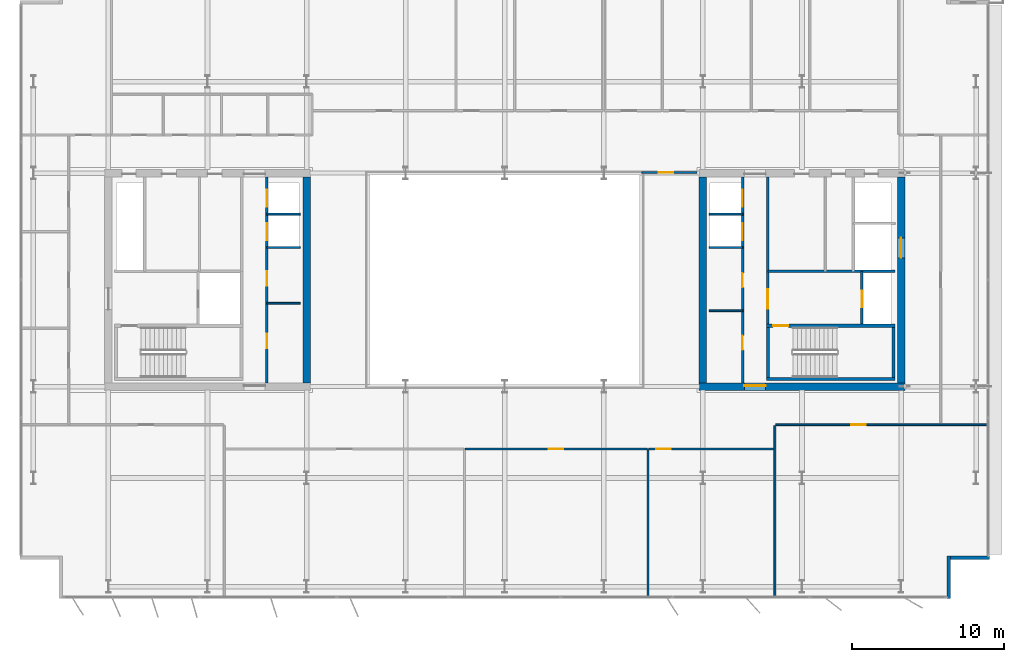
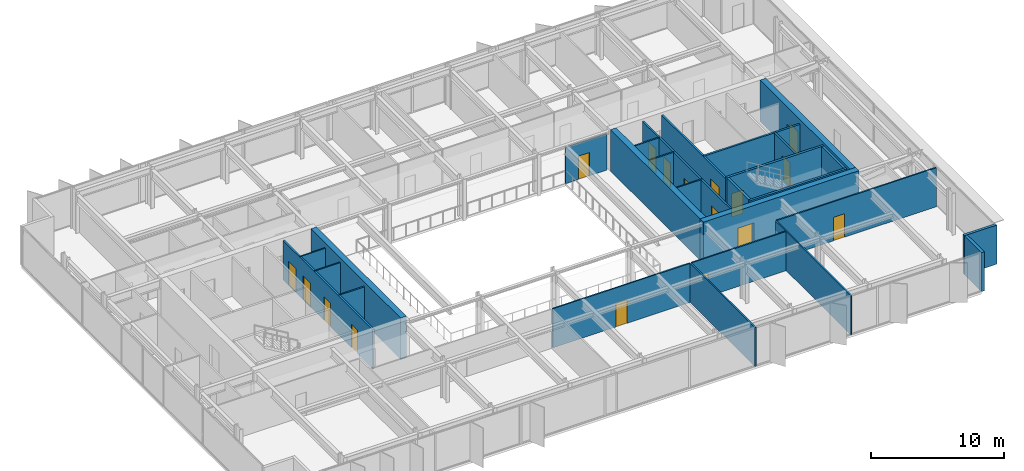
# One storey, part 12 of 19: 27 walls, 17 doors, 17 openings.
"""IFC4 building model written with IfcOpenShell, lengths in metres."""

from ifc_helpers import new_model, si_unit, direction, frame, frame_2d, origin, place, context, subcontext, project, spatial, rectangle, extrude, material, layer, layer_set, type_object, element, fill, save


model = new_model("IFC4")

# Units and contexts
model_context = context("Model", 3, precision=1e-05, world=origin(), true_north=direction((0.0, 1.0)))
body_context = subcontext(model_context, "Body", "Model", "MODEL_VIEW")
ifc_project = project(units=[si_unit("LENGTHUNIT", "METRE"), si_unit("AREAUNIT", "SQUARE_METRE"), si_unit("VOLUMEUNIT", "CUBIC_METRE"), si_unit("PLANEANGLEUNIT", "RADIAN"), si_unit("MASSUNIT", "GRAM", prefix="KILO")], contexts=[model_context])

# Site, building, storey
site_placement = place(None, origin())
site = spatial("IfcSite", under=ifc_project, at=site_placement, CompositionType="ELEMENT")
building_placement = place(site_placement, origin())
building = spatial("IfcBuilding", under=site, at=building_placement, Name="Putna Gate Headquarters", CompositionType="ELEMENT")
storey_placement = place(building_placement, frame((0.0, 0.0, 255.60009765625)))
storey = spatial("IfcBuildingStorey", under=building, at=storey_placement, Name="L64", CompositionType="ELEMENT", Elevation=255.60009765625)

# Wall
ifc_material_1 = material(Name="Concrete C50/60", Category="concrete")
ifc_layer_1 = layer(ifc_material_1, 0.5)
ifc_layer_set_1 = layer_set([ifc_layer_1], Name="Concrete C50/60")
wall_type_1 = type_object("IfcWallType", Name="WALL-CORE-500", PredefinedType="SHEAR", material=ifc_layer_set_1)
wall_1_placement = place(storey_placement, frame((26.0, 19.25, 0.0), z_axis=(0.0, 0.0, 1.0), x_axis=(0.0, 1.0, 0.0)))
element("IfcWall", 1, at=wall_1_placement, inside=storey, type_object=wall_type_1, Name="L64 WC Split Core Shear Wall E", PredefinedType="SHEAR", context=body_context, shape_type="SweptSolid", body=[
    extrude(rectangle(XDim=13.5, YDim=0.5, at=frame_2d((6.75, 0.0))), origin(), (0.0, 0.0, 1.0), 3.7998046875),
])

# Wall, opening, door
wall_2_placement = place(storey_placement, frame((51.75, 19.0, 0.0), z_axis=(0.0, 0.0, 1.0), x_axis=(1.0, 0.0, 0.0)))
wall_2 = element("IfcWall", 2, at=wall_2_placement, inside=storey, type_object=wall_type_1, Name="L64 EC Split Core Shear Wall S", PredefinedType="SHEAR", context=body_context, shape_type="SweptSolid", body=[
    extrude(rectangle(XDim=13.5, YDim=0.5, at=frame_2d((6.75, 0.0))), origin(), (0.0, 0.0, 1.0), 3.7998046875),
])
opening_1_placement = place(wall_2_placement, frame((2.969970703125, 0.0, 0.0)))
opening_1 = element("IfcOpeningElement", 3, at=opening_1_placement, cuts=wall_2, Name="Opening FDD-140", PredefinedType="OPENING", context=body_context, shape_type="SweptSolid", body=[
    extrude(rectangle(XDim=1.39990234375, YDim=2.199951171875, at=frame_2d((0.699951171875, 1.10009765625))), frame((0.0, 0.260009765625, 0.0), z_axis=(0.0, -1.0, 0.0), x_axis=(1.0, 0.0, 0.0)), (0.0, 0.0, 1.0), 0.52001953125),
])
ifc_material_2 = material(Name="Double steel fire door", Category="steel")
door_type_1 = type_object("IfcDoorType", Name="DOOR-FIRE-DBL-1400", OperationType="DOUBLE_DOOR_SINGLE_SWING", PredefinedType="DOOR", material=ifc_material_2)
door_1_placement = place(opening_1_placement, origin())
door_1 = element("IfcDoor", 4, at=door_1_placement, inside=storey, type_object=door_type_1, Name="L64 East Lift Lobby South Door", OperationType="DOUBLE_DOOR_SINGLE_SWING", OverallHeight=2.199951171875, OverallWidth=1.39990234375, PredefinedType="DOOR", context=body_context, shape_type="SweptSolid", body=[
    extrude(rectangle(XDim=1.39990234375, YDim=2.199951171875, at=frame_2d((0.699951171875, 1.10009765625))), frame((0.0, 0.0751953125, 0.0), z_axis=(0.0, -1.0, 0.0), x_axis=(1.0, 0.0, 0.0)), (0.0, 0.0, 1.0), 0.050048828125),
])
fill(opening_1, door_1)

# Wall
wall_3_placement = place(storey_placement, frame((52.0, 19.25, 0.0), z_axis=(0.0, 0.0, 1.0), x_axis=(0.0, 1.0, 0.0)))
element("IfcWall", 5, at=wall_3_placement, inside=storey, type_object=wall_type_1, Name="L64 EC Split Core Shear Wall W", PredefinedType="SHEAR", context=body_context, shape_type="SweptSolid", body=[
    extrude(rectangle(XDim=13.5, YDim=0.5, at=frame_2d((6.75, 0.0))), origin(), (0.0, 0.0, 1.0), 3.7998046875),
])

# Wall, opening, door
wall_4_placement = place(storey_placement, frame((65.0, 19.25, 0.0), z_axis=(0.0, 0.0, 1.0), x_axis=(0.0, 1.0, 0.0)))
wall_4 = element("IfcWall", 6, at=wall_4_placement, inside=storey, type_object=wall_type_1, Name="L64 EC Split Core Shear Wall E", PredefinedType="SHEAR", context=body_context, shape_type="SweptSolid", body=[
    extrude(rectangle(XDim=13.5, YDim=0.5, at=frame_2d((6.75, 0.0))), origin(), (0.0, 0.0, 1.0), 3.7998046875),
])
opening_2_placement = place(wall_4_placement, frame((8.199951171875, 0.0, 0.0)))
opening_2 = element("IfcOpeningElement", 7, at=opening_2_placement, cuts=wall_4, Name="Opening LD-2", PredefinedType="OPENING", context=body_context, shape_type="SweptSolid", body=[
    extrude(rectangle(XDim=1.300048828125, YDim=2.199951171875, at=frame_2d((0.64990234375, 1.10009765625))), frame((0.0, 0.260009765625, 0.0), z_axis=(0.0, -1.0, 0.0), x_axis=(1.0, 0.0, 0.0)), (0.0, 0.0, 1.0), 0.52001953125),
])
ifc_material_3 = material(Name="Heavy-duty goods lift sliding landing door")
door_type_2 = type_object("IfcDoorType", Name="DOOR-LIFT-1300", OperationType="DOUBLE_DOOR_SLIDING", PredefinedType="DOOR", material=ifc_material_3)
door_2_placement = place(opening_2_placement, origin())
door_2 = element("IfcDoor", 8, at=door_2_placement, inside=storey, type_object=door_type_2, Name="L64 Goods Lift Landing Door LD-15", OperationType="DOUBLE_DOOR_SLIDING", OverallHeight=2.199951171875, OverallWidth=1.300048828125, PredefinedType="DOOR", context=body_context, shape_type="SweptSolid", body=[
    extrude(rectangle(XDim=1.300048828125, YDim=2.199951171875, at=frame_2d((0.64990234375, 1.10009765625))), frame((0.0, 0.02490234375, 0.0), z_axis=(0.0, -1.0, 0.0), x_axis=(1.0, 0.0, 0.0)), (0.0, 0.0, 1.0), 0.050048828125),
])
fill(opening_2, door_2)

# Walls
ifc_material_4 = material(Name="Precast concrete C40/50", Category="concrete")
ifc_layer_2 = layer(ifc_material_4, 0.239990234375)
ifc_layer_set_2 = layer_set([ifc_layer_2], Name="Precast concrete C40/50")
wall_type_2 = type_object("IfcWallType", Name="WALL-EXT-TERR-240", PredefinedType="STANDARD", material=ifc_layer_set_2)
wall_5_placement = place(storey_placement, frame((68.1201171875, 7.89990234375, 0.0), z_axis=(0.0, 0.0, 1.0), x_axis=(0.0, -1.0, 0.0)))
element("IfcWall", 9, at=wall_5_placement, inside=storey, type_object=wall_type_2, Name="L64 Corner Notch Return Wall SE-V", PredefinedType="STANDARD", context=body_context, shape_type="SweptSolid", body=[
    extrude(rectangle(XDim=2.7998046875, YDim=0.239990234375, at=frame_2d((1.39990234375, 0.0))), origin(), (0.0, 0.0, 1.0), 3.587890625),
])
wall_6_placement = place(storey_placement, frame((70.800048828125, 7.780029296875, 0.0), z_axis=(0.0, 0.0, 1.0), x_axis=(-1.0, 0.0, 0.0)))
element("IfcWall", 10, at=wall_6_placement, inside=storey, type_object=wall_type_2, Name="L64 Corner Notch Return Wall SE-H", PredefinedType="STANDARD", context=body_context, shape_type="SweptSolid", body=[
    extrude(rectangle(XDim=2.800048828125, YDim=0.239990234375, at=frame_2d((1.39990234375, 0.0))), origin(), (0.0, 0.0, 1.0), 3.587890625),
])

# Wall, opening, door
ifc_material_5 = material(Name="Acoustic gypsum board on metal stud")
ifc_layer_3 = layer(ifc_material_5, 0.1201171875)
ifc_layer_set_3 = layer_set([ifc_layer_3], Name="Acoustic gypsum board on metal stud")
wall_type_3 = type_object("IfcWallType", Name="WALL-PART-120", PredefinedType="PARTITIONING", material=ifc_layer_set_3)
wall_7_placement = place(storey_placement, frame((48.0, 33.0400390625, 0.0), z_axis=(0.0, 0.0, 1.0), x_axis=(1.0, 0.0, 0.0)))
wall_7 = element("IfcWall", 11, at=wall_7_placement, inside=storey, type_object=wall_type_3, Name="L64 Interior Wall PART-L64-ATR-E-N", PredefinedType="PARTITIONING", context=body_context, shape_type="SweptSolid", body=[
    extrude(rectangle(XDim=3.60009765625, YDim=0.1201171875, at=frame_2d((1.800048828125, 0.0))), origin(), (0.0, 0.0, 1.0), 3.327880859375),
])
opening_3_placement = place(wall_7_placement, frame((1.10009765625, 0.0, 0.0)))
opening_3 = element("IfcOpeningElement", 12, at=opening_3_placement, cuts=wall_7, Name="Opening ID-95", PredefinedType="OPENING", context=body_context, shape_type="SweptSolid", body=[
    extrude(rectangle(XDim=0.949951171875, YDim=2.14990234375, at=frame_2d((0.47509765625, 1.074951171875))), frame((0.0, 0.070068359375, 0.0), z_axis=(0.0, -1.0, 0.0), x_axis=(1.0, 0.0, 0.0)), (0.0, 0.0, 1.0), 0.14013671875),
])
ifc_material_6 = material(Name="Veneered acoustic timber door", Category="wood")
door_type_3 = type_object("IfcDoorType", Name="DOOR-OFF-950", OperationType="NOTDEFINED", PredefinedType="DOOR", material=ifc_material_6)
door_3_placement = place(opening_3_placement, origin())
door_3 = element("IfcDoor", 13, at=door_3_placement, inside=storey, type_object=door_type_3, Name="L64 East Sky Atrium Lounge Door", OperationType="SINGLE_SWING_LEFT", OverallHeight=2.14990234375, OverallWidth=0.949951171875, PredefinedType="DOOR", context=body_context, shape_type="SweptSolid", body=[
    extrude(rectangle(XDim=0.949951171875, YDim=2.14990234375, at=frame_2d((0.47509765625, 1.074951171875))), frame((0.0, 0.02490234375, 0.0), z_axis=(0.0, -1.0, 0.0), x_axis=(1.0, 0.0, 0.0)), (0.0, 0.0, 1.0), 0.050048828125),
])
fill(opening_3, door_3)

# Walls
wall_8_placement = place(storey_placement, frame((48.3974609375, 5.1201171875, 0.0), z_axis=(0.0, 0.0, 1.0), x_axis=(0.0, 1.0, 0.0)))
element("IfcWall", 14, at=wall_8_placement, inside=storey, type_object=wall_type_3, Name="L64 Interior Wall PART-L64-SB-DIV-03", PredefinedType="PARTITIONING", context=body_context, shape_type="SweptSolid", body=[
    extrude(rectangle(XDim=9.719970703125, YDim=0.1201171875, at=frame_2d((4.85986328125, 0.0))), origin(), (0.0, 0.0, 1.0), 3.587890625),
])
wall_9_placement = place(storey_placement, frame((56.7197265625, 5.1201171875, 0.0), z_axis=(0.0, 0.0, 1.0), x_axis=(0.0, 1.0, 0.0)))
element("IfcWall", 15, at=wall_9_placement, inside=storey, type_object=wall_type_3, Name="L64 Interior Wall PART-L64-SB-DIV-04", PredefinedType="PARTITIONING", context=body_context, shape_type="SweptSolid", body=[
    extrude(rectangle(XDim=11.31982421875, YDim=0.1201171875, at=frame_2d((5.659912109375, 0.0))), origin(), (0.0, 0.0, 1.0), 3.587890625),
])
ifc_material_7 = material(Name="Fire-rated shaftwall gypsum board on metal stud")
ifc_layer_4 = layer(ifc_material_7, 0.1201171875)
ifc_layer_set_4 = layer_set([ifc_layer_4], Name="Fire-rated shaftwall gypsum board on metal stud")
wall_type_4 = type_object("IfcWallType", Name="WALL-PART-120-EI120", PredefinedType="PARTITIONING", material=ifc_layer_set_4)
for number, where, z_axis, x_axis, name in (
    (16, (23.39990234375, 30.31005859375, 0.0), (0.0, 0.0, 1.0), (1.0, 0.0, 0.0), "L64 Interior Wall CWINT-L64-WC-LF09-DIV"),
    (17, (52.39990234375, 30.31005859375, 0.0), (0.0, 0.0, 1.0), (1.0, 0.0, 0.0), "L64 Interior Wall CWINT-L64-EC-LF11-DIV"),
):
    element("IfcWall", number, at=place(storey_placement, frame(where, z_axis=z_axis, x_axis=x_axis)), inside=storey, type_object=wall_type_4, Name=name, PredefinedType="PARTITIONING", context=body_context, shape_type="SweptSolid", body=[
        extrude(rectangle(XDim=2.2001953125, YDim=0.1201171875, at=frame_2d((1.10009765625, 0.0))), origin(), (0.0, 0.0, 1.0), 3.587890625),
    ])
ifc_material_8 = material(Name="Fire-rated gypsum board on metal stud")
ifc_layer_5 = layer(ifc_material_8, 0.1201171875)
ifc_layer_set_5 = layer_set([ifc_layer_5], Name="Fire-rated gypsum board on metal stud")
wall_type_5 = type_object("IfcWallType", Name="WALL-PART-120-RATED", PredefinedType="PARTITIONING", material=ifc_layer_set_5)
for number, where, z_axis, x_axis, name in (
    (18, (23.39990234375, 24.469970703125, 0.0), (0.0, 0.0, 1.0), (1.0, 0.0, 0.0), "L64 Interior Wall CWINT-L64-WC-REUSE-DIV"),
    (19, (23.39990234375, 28.1201171875, 0.0), (0.0, 0.0, 1.0), (1.0, 0.0, 0.0), "L64 Interior Wall CWINT-L64-WC-LF06-DIV"),
    (20, (52.39990234375, 23.969970703125, 0.0), (0.0, 0.0, 1.0), (1.0, 0.0, 0.0), "L64 Interior Wall CWINT-L64-EC-REUSE-DIV"),
    (21, (52.39990234375, 28.1201171875, 0.0), (0.0, 0.0, 1.0), (1.0, 0.0, 0.0), "L64 Interior Wall CWINT-L64-EC-LF08-DIV"),
):
    element("IfcWall", number, at=place(storey_placement, frame(where, z_axis=z_axis, x_axis=x_axis)), inside=storey, type_object=wall_type_5, Name=name, PredefinedType="PARTITIONING", context=body_context, shape_type="SweptSolid", body=[
        extrude(rectangle(XDim=2.2001953125, YDim=0.1201171875, at=frame_2d((1.10009765625, 0.0))), origin(), (0.0, 0.0, 1.0), 3.587890625),
    ])

# Wall, opening, door
wall_10_placement = place(storey_placement, frame((36.41650390625, 14.89990234375, 0.0), z_axis=(0.0, 0.0, 1.0), x_axis=(1.0, 0.0, 0.0)))
wall_10 = element("IfcWall", 22, at=wall_10_placement, inside=storey, type_object=wall_type_5, Name="L64 Interior Wall PART-L64-SB-CW-03", PredefinedType="PARTITIONING", context=body_context, shape_type="SweptSolid", body=[
    extrude(rectangle(XDim=11.9208984375, YDim=0.1201171875, at=frame_2d((5.96044921875, 0.0))), origin(), (0.0, 0.0, 1.0), 3.587890625),
])
opening_4_placement = place(wall_10_placement, frame((5.4853515625, 0.0, 0.0)))
opening_4 = element("IfcOpeningElement", 23, at=opening_4_placement, cuts=wall_10, Name="Opening FD-95", PredefinedType="OPENING", context=body_context, shape_type="SweptSolid", body=[
    extrude(rectangle(XDim=0.949951171875, YDim=2.14990234375, at=frame_2d((0.47509765625, 1.074951171875))), frame((0.0, 0.070068359375, 0.0), z_axis=(0.0, -1.0, 0.0), x_axis=(1.0, 0.0, 0.0)), (0.0, 0.0, 1.0), 0.14013671875),
])
ifc_material_9 = material(Name="Acoustic timber fire door", Category="wood")
door_type_4 = type_object("IfcDoorType", Name="DOOR-FIRE-950", OperationType="NOTDEFINED", PredefinedType="DOOR", material=ifc_material_9)
door_4_placement = place(opening_4_placement, origin())
door_4 = element("IfcDoor", 24, at=door_4_placement, inside=storey, type_object=door_type_4, Name="L64 Conference Meeting Room 1 Door", OperationType="SINGLE_SWING_LEFT", OverallHeight=2.14990234375, OverallWidth=0.949951171875, PredefinedType="DOOR", context=body_context, shape_type="SweptSolid", body=[
    extrude(rectangle(XDim=0.949951171875, YDim=2.14990234375, at=frame_2d((0.47509765625, 1.074951171875))), frame((0.0, 0.02490234375, 0.0), z_axis=(0.0, -1.0, 0.0), x_axis=(1.0, 0.0, 0.0)), (0.0, 0.0, 1.0), 0.050048828125),
])
fill(opening_4, door_4)

wall_11_placement = place(storey_placement, frame((48.45751953125, 14.89990234375, 0.0), z_axis=(0.0, 0.0, 1.0), x_axis=(1.0, 0.0, 0.0)))
wall_11 = element("IfcWall", 25, at=wall_11_placement, inside=storey, type_object=wall_type_5, Name="L64 Interior Wall PART-L64-SB-CW-04", PredefinedType="PARTITIONING", context=body_context, shape_type="SweptSolid", body=[
    extrude(rectangle(XDim=8.202392578125, YDim=0.1201171875, at=frame_2d((4.10107421875, 0.0))), origin(), (0.0, 0.0, 1.0), 3.587890625),
])
opening_5_placement = place(wall_11_placement, frame((0.47998046875, 0.0, 0.0)))
opening_5 = element("IfcOpeningElement", 26, at=opening_5_placement, cuts=wall_11, Name="Opening FD-95", PredefinedType="OPENING", context=body_context, shape_type="SweptSolid", body=[
    extrude(rectangle(XDim=0.949951171875, YDim=2.14990234375, at=frame_2d((0.47509765625, 1.074951171875))), frame((0.0, 0.070068359375, 0.0), z_axis=(0.0, -1.0, 0.0), x_axis=(1.0, 0.0, 0.0)), (0.0, 0.0, 1.0), 0.14013671875),
])
door_5_placement = place(opening_5_placement, origin())
door_5 = element("IfcDoor", 27, at=door_5_placement, inside=storey, type_object=door_type_4, Name="L64 Conference Meeting Room 2 Door", OperationType="SINGLE_SWING_RIGHT", OverallHeight=2.14990234375, OverallWidth=0.949951171875, PredefinedType="DOOR", context=body_context, shape_type="SweptSolid", body=[
    extrude(rectangle(XDim=0.949951171875, YDim=2.14990234375, at=frame_2d((0.47509765625, 1.074951171875))), frame((0.0, 0.02490234375, 0.0), z_axis=(0.0, -1.0, 0.0), x_axis=(1.0, 0.0, 0.0)), (0.0, 0.0, 1.0), 0.050048828125),
])
fill(opening_5, door_5)

wall_12_placement = place(storey_placement, frame((56.77978515625, 16.5, 0.0), z_axis=(0.0, 0.0, 1.0), x_axis=(1.0, 0.0, 0.0)))
wall_12 = element("IfcWall", 28, at=wall_12_placement, inside=storey, type_object=wall_type_5, Name="L64 Interior Wall PART-L64-SB-CW-05", PredefinedType="PARTITIONING", context=body_context, shape_type="SweptSolid", body=[
    extrude(rectangle(XDim=13.84033203125, YDim=0.1201171875, at=frame_2d((6.920166015625, 0.0))), origin(), (0.0, 0.0, 1.0), 3.587890625),
])
opening_6_placement = place(wall_12_placement, frame((4.93505859375, 0.0, 0.0)))
opening_6 = element("IfcOpeningElement", 29, at=opening_6_placement, cuts=wall_12, Name="Opening FD-95", PredefinedType="OPENING", context=body_context, shape_type="SweptSolid", body=[
    extrude(rectangle(XDim=0.949951171875, YDim=2.14990234375, at=frame_2d((0.47509765625, 1.074951171875))), frame((0.0, 0.070068359375, 0.0), z_axis=(0.0, -1.0, 0.0), x_axis=(1.0, 0.0, 0.0)), (0.0, 0.0, 1.0), 0.14013671875),
])
door_6_placement = place(opening_6_placement, origin())
door_6 = element("IfcDoor", 30, at=door_6_placement, inside=storey, type_object=door_type_4, Name="L64 Quiet Wellness Focus Studio 1 Door", OperationType="SINGLE_SWING_LEFT", OverallHeight=2.14990234375, OverallWidth=0.949951171875, PredefinedType="DOOR", context=body_context, shape_type="SweptSolid", body=[
    extrude(rectangle(XDim=0.949951171875, YDim=2.14990234375, at=frame_2d((0.47509765625, 1.074951171875))), frame((0.0, 0.02490234375, 0.0), z_axis=(0.0, -1.0, 0.0), x_axis=(1.0, 0.0, 0.0)), (0.0, 0.0, 1.0), 0.050048828125),
])
fill(opening_6, door_6)

# Wall, openings, doors
ifc_material_10 = material(Name="Concrete C40/50", Category="concrete")
ifc_layer_6 = layer(ifc_material_10, 0.159912109375)
ifc_layer_set_6 = layer_set([ifc_layer_6], Name="Concrete C40/50")
wall_type_6 = type_object("IfcWallType", Name="WALL-SHAFT-160", PredefinedType="STANDARD", material=ifc_layer_set_6)
wall_13_placement = place(storey_placement, frame((23.39990234375, 19.25, 0.0), z_axis=(0.0, 0.0, 1.0), x_axis=(0.0, 1.0, 0.0)))
wall_13 = element("IfcWall", 31, at=wall_13_placement, inside=storey, type_object=wall_type_6, Name="L64 Interior Wall CWINT-L64-WC-PL-WALL", PredefinedType="STANDARD", context=body_context, shape_type="SweptSolid", body=[
    extrude(rectangle(XDim=13.5, YDim=0.159912109375, at=frame_2d((6.75, 0.0))), origin(), (0.0, 0.0, 1.0), 3.587890625),
])
opening_7_placement = place(wall_13_placement, frame((2.25, 0.0, 0.0)))
opening_7 = element("IfcOpeningElement", 32, at=opening_7_placement, cuts=wall_13, Name="Opening IDS-95", PredefinedType="OPENING", context=body_context, shape_type="SweptSolid", body=[
    extrude(rectangle(XDim=0.949951171875, YDim=2.14990234375, at=frame_2d((0.47509765625, 1.074951171875))), frame((0.0, 0.08984375, 0.0), z_axis=(0.0, -1.0, 0.0), x_axis=(1.0, 0.0, 0.0)), (0.0, 0.0, 1.0), 0.179931640625),
])
opening_8_placement = place(wall_13_placement, frame((6.35009765625, 0.0, 0.0)))
opening_8 = element("IfcOpeningElement", 33, at=opening_8_placement, cuts=wall_13, Name="Opening IDS-95", PredefinedType="OPENING", context=body_context, shape_type="SweptSolid", body=[
    extrude(rectangle(XDim=0.949951171875, YDim=2.14990234375, at=frame_2d((0.47509765625, 1.074951171875))), frame((0.0, 0.08984375, 0.0), z_axis=(0.0, -1.0, 0.0), x_axis=(1.0, 0.0, 0.0)), (0.0, 0.0, 1.0), 0.179931640625),
])
opening_9_placement = place(wall_13_placement, frame((9.35009765625, 0.0, 0.0)))
opening_9 = element("IfcOpeningElement", 34, at=opening_9_placement, cuts=wall_13, Name="Opening LD-1", PredefinedType="OPENING", context=body_context, shape_type="SweptSolid", body=[
    extrude(rectangle(XDim=1.10009765625, YDim=2.199951171875, at=frame_2d((0.550048828125, 1.10009765625))), frame((0.0, 0.08984375, 0.0), z_axis=(0.0, -1.0, 0.0), x_axis=(1.0, 0.0, 0.0)), (0.0, 0.0, 1.0), 0.179931640625),
])
opening_10_placement = place(wall_13_placement, frame((11.550048828125, 0.0, 0.0)))
opening_10 = element("IfcOpeningElement", 35, at=opening_10_placement, cuts=wall_13, Name="Opening LD-1", PredefinedType="OPENING", context=body_context, shape_type="SweptSolid", body=[
    extrude(rectangle(XDim=1.10009765625, YDim=2.199951171875, at=frame_2d((0.550048828125, 1.10009765625))), frame((0.0, 0.08984375, 0.0), z_axis=(0.0, -1.0, 0.0), x_axis=(1.0, 0.0, 0.0)), (0.0, 0.0, 1.0), 0.179931640625),
])
ifc_material_11 = material(Name="Fire-rated service timber door", Category="wood")
door_type_5 = type_object("IfcDoorType", Name="DOOR-INT-950", OperationType="NOTDEFINED", PredefinedType="DOOR", material=ifc_material_11)
door_7_placement = place(opening_7_placement, origin())
door_7 = element("IfcDoor", 36, at=door_7_placement, inside=storey, type_object=door_type_5, Name="L64 Tenant IT Hub Door", OperationType="SINGLE_SWING_LEFT", OverallHeight=2.14990234375, OverallWidth=0.949951171875, PredefinedType="DOOR", context=body_context, shape_type="SweptSolid", body=[
    extrude(rectangle(XDim=0.949951171875, YDim=2.14990234375, at=frame_2d((0.47509765625, 1.074951171875))), frame((0.0, 0.02490234375, 0.0), z_axis=(0.0, -1.0, 0.0), x_axis=(1.0, 0.0, 0.0)), (0.0, 0.0, 1.0), 0.050048828125),
])
fill(opening_7, door_7)
door_8_placement = place(opening_8_placement, origin())
door_8 = element("IfcDoor", 37, at=door_8_placement, inside=storey, type_object=door_type_5, Name="L64 Records Vault Door", OperationType="SINGLE_SWING_RIGHT", OverallHeight=2.14990234375, OverallWidth=0.949951171875, PredefinedType="DOOR", context=body_context, shape_type="SweptSolid", body=[
    extrude(rectangle(XDim=0.949951171875, YDim=2.14990234375, at=frame_2d((0.47509765625, 1.074951171875))), frame((0.0, 0.02490234375, 0.0), z_axis=(0.0, -1.0, 0.0), x_axis=(1.0, 0.0, 0.0)), (0.0, 0.0, 1.0), 0.050048828125),
])
fill(opening_8, door_8)
ifc_material_12 = material(Name="Brushed bronze stainless lift landing door")
door_type_6 = type_object("IfcDoorType", Name="DOOR-LIFT-1100", OperationType="DOUBLE_DOOR_SLIDING", PredefinedType="DOOR", material=ifc_material_12)
door_9_placement = place(opening_9_placement, origin())
door_9 = element("IfcDoor", 38, at=door_9_placement, inside=storey, type_object=door_type_6, Name="L64 Lift Landing Door LD-09", OperationType="DOUBLE_DOOR_SLIDING", OverallHeight=2.199951171875, OverallWidth=1.10009765625, PredefinedType="DOOR", context=body_context, shape_type="SweptSolid", body=[
    extrude(rectangle(XDim=1.10009765625, YDim=2.199951171875, at=frame_2d((0.550048828125, 1.10009765625))), frame((0.0, 0.02490234375, 0.0), z_axis=(0.0, -1.0, 0.0), x_axis=(1.0, 0.0, 0.0)), (0.0, 0.0, 1.0), 0.050048828125),
])
fill(opening_9, door_9)
door_10_placement = place(opening_10_placement, origin())
door_10 = element("IfcDoor", 39, at=door_10_placement, inside=storey, type_object=door_type_6, Name="L64 Lift Landing Door LD-10", OperationType="DOUBLE_DOOR_SLIDING", OverallHeight=2.199951171875, OverallWidth=1.10009765625, PredefinedType="DOOR", context=body_context, shape_type="SweptSolid", body=[
    extrude(rectangle(XDim=1.10009765625, YDim=2.199951171875, at=frame_2d((0.550048828125, 1.10009765625))), frame((0.0, 0.02490234375, 0.0), z_axis=(0.0, -1.0, 0.0), x_axis=(1.0, 0.0, 0.0)), (0.0, 0.0, 1.0), 0.050048828125),
])
fill(opening_10, door_10)

wall_14_placement = place(storey_placement, frame((54.60009765625, 19.25, 0.0), z_axis=(0.0, 0.0, 1.0), x_axis=(0.0, 1.0, 0.0)))
wall_14 = element("IfcWall", 40, at=wall_14_placement, inside=storey, type_object=wall_type_6, Name="L64 Interior Wall CWINT-L64-EC-PL-WALL", PredefinedType="STANDARD", context=body_context, shape_type="SweptSolid", body=[
    extrude(rectangle(XDim=13.5, YDim=0.159912109375, at=frame_2d((6.75, 0.0))), origin(), (0.0, 0.0, 1.0), 3.587890625),
])
opening_11_placement = place(wall_14_placement, frame((2.14990234375, 0.0, 0.0)))
opening_11 = element("IfcOpeningElement", 41, at=opening_11_placement, cuts=wall_14, Name="Opening IDS-95", PredefinedType="OPENING", context=body_context, shape_type="SweptSolid", body=[
    extrude(rectangle(XDim=0.949951171875, YDim=2.14990234375, at=frame_2d((0.47509765625, 1.074951171875))), frame((0.0, 0.08984375, 0.0), z_axis=(0.0, -1.0, 0.0), x_axis=(1.0, 0.0, 0.0)), (0.0, 0.0, 1.0), 0.179931640625),
])
opening_12_placement = place(wall_14_placement, frame((6.25, 0.0, 0.0)))
opening_12 = element("IfcOpeningElement", 42, at=opening_12_placement, cuts=wall_14, Name="Opening IDS-95", PredefinedType="OPENING", context=body_context, shape_type="SweptSolid", body=[
    extrude(rectangle(XDim=0.949951171875, YDim=2.14990234375, at=frame_2d((0.47509765625, 1.074951171875))), frame((0.0, 0.08984375, 0.0), z_axis=(0.0, -1.0, 0.0), x_axis=(1.0, 0.0, 0.0)), (0.0, 0.0, 1.0), 0.179931640625),
])
opening_13_placement = place(wall_14_placement, frame((9.35009765625, 0.0, 0.0)))
opening_13 = element("IfcOpeningElement", 43, at=opening_13_placement, cuts=wall_14, Name="Opening LD-1", PredefinedType="OPENING", context=body_context, shape_type="SweptSolid", body=[
    extrude(rectangle(XDim=1.10009765625, YDim=2.199951171875, at=frame_2d((0.550048828125, 1.10009765625))), frame((0.0, 0.08984375, 0.0), z_axis=(0.0, -1.0, 0.0), x_axis=(1.0, 0.0, 0.0)), (0.0, 0.0, 1.0), 0.179931640625),
])
opening_14_placement = place(wall_14_placement, frame((11.550048828125, 0.0, 0.0)))
opening_14 = element("IfcOpeningElement", 44, at=opening_14_placement, cuts=wall_14, Name="Opening LD-1", PredefinedType="OPENING", context=body_context, shape_type="SweptSolid", body=[
    extrude(rectangle(XDim=1.10009765625, YDim=2.199951171875, at=frame_2d((0.550048828125, 1.10009765625))), frame((0.0, 0.08984375, 0.0), z_axis=(0.0, -1.0, 0.0), x_axis=(1.0, 0.0, 0.0)), (0.0, 0.0, 1.0), 0.179931640625),
])
door_11_placement = place(opening_11_placement, origin())
door_11 = element("IfcDoor", 45, at=door_11_placement, inside=storey, type_object=door_type_5, Name="L64 Executive Archive Door", OperationType="SINGLE_SWING_RIGHT", OverallHeight=2.14990234375, OverallWidth=0.949951171875, PredefinedType="DOOR", context=body_context, shape_type="SweptSolid", body=[
    extrude(rectangle(XDim=0.949951171875, YDim=2.14990234375, at=frame_2d((0.47509765625, 1.074951171875))), frame((0.0, 0.02490234375, 0.0), z_axis=(0.0, -1.0, 0.0), x_axis=(1.0, 0.0, 0.0)), (0.0, 0.0, 1.0), 0.050048828125),
])
fill(opening_11, door_11)
door_12_placement = place(opening_12_placement, origin())
door_12 = element("IfcDoor", 46, at=door_12_placement, inside=storey, type_object=door_type_5, Name="L64 Comms Distribution Door", OperationType="SINGLE_SWING_LEFT", OverallHeight=2.14990234375, OverallWidth=0.949951171875, PredefinedType="DOOR", context=body_context, shape_type="SweptSolid", body=[
    extrude(rectangle(XDim=0.949951171875, YDim=2.14990234375, at=frame_2d((0.47509765625, 1.074951171875))), frame((0.0, 0.02490234375, 0.0), z_axis=(0.0, -1.0, 0.0), x_axis=(1.0, 0.0, 0.0)), (0.0, 0.0, 1.0), 0.050048828125),
])
fill(opening_12, door_12)
door_13_placement = place(opening_13_placement, origin())
door_13 = element("IfcDoor", 47, at=door_13_placement, inside=storey, type_object=door_type_6, Name="L64 Lift Landing Door LD-11", OperationType="DOUBLE_DOOR_SLIDING", OverallHeight=2.199951171875, OverallWidth=1.10009765625, PredefinedType="DOOR", context=body_context, shape_type="SweptSolid", body=[
    extrude(rectangle(XDim=1.10009765625, YDim=2.199951171875, at=frame_2d((0.550048828125, 1.10009765625))), frame((0.0, 0.02490234375, 0.0), z_axis=(0.0, -1.0, 0.0), x_axis=(1.0, 0.0, 0.0)), (0.0, 0.0, 1.0), 0.050048828125),
])
fill(opening_13, door_13)
door_14_placement = place(opening_14_placement, origin())
door_14 = element("IfcDoor", 48, at=door_14_placement, inside=storey, type_object=door_type_6, Name="L64 Lift Landing Door LD-12", OperationType="DOUBLE_DOOR_SLIDING", OverallHeight=2.199951171875, OverallWidth=1.10009765625, PredefinedType="DOOR", context=body_context, shape_type="SweptSolid", body=[
    extrude(rectangle(XDim=1.10009765625, YDim=2.199951171875, at=frame_2d((0.550048828125, 1.10009765625))), frame((0.0, 0.02490234375, 0.0), z_axis=(0.0, -1.0, 0.0), x_axis=(1.0, 0.0, 0.0)), (0.0, 0.0, 1.0), 0.050048828125),
])
fill(opening_14, door_14)

# Wall, opening, door
wall_15_placement = place(storey_placement, frame((56.260009765625, 23.090087890625, 0.0), z_axis=(0.0, 0.0, 1.0), x_axis=(0.0, 1.0, 0.0)))
wall_15 = element("IfcWall", 49, at=wall_15_placement, inside=storey, type_object=wall_type_6, Name="L64 Interior Wall CWINT-L64-EC-LOB-E", PredefinedType="STANDARD", context=body_context, shape_type="SweptSolid", body=[
    extrude(rectangle(XDim=9.659912109375, YDim=0.159912109375, at=frame_2d((4.830078125, 0.0))), origin(), (0.0, 0.0, 1.0), 3.587890625),
])
opening_15_placement = place(wall_15_placement, frame((1.010009765625, 0.0, 0.0)))
opening_15 = element("IfcOpeningElement", 50, at=opening_15_placement, cuts=wall_15, Name="Opening FDD-130", PredefinedType="OPENING", context=body_context, shape_type="SweptSolid", body=[
    extrude(rectangle(XDim=1.300048828125, YDim=2.199951171875, at=frame_2d((0.64990234375, 1.10009765625))), frame((0.0, 0.08984375, 0.0), z_axis=(0.0, -1.0, 0.0), x_axis=(1.0, 0.0, 0.0)), (0.0, 0.0, 1.0), 0.179931640625),
])
ifc_material_13 = material(Name="Double steel lobby fire door", Category="steel")
door_type_7 = type_object("IfcDoorType", Name="DOOR-FIRE-DBL-1300", OperationType="DOUBLE_DOOR_SINGLE_SWING", PredefinedType="DOOR", material=ifc_material_13)
door_15_placement = place(opening_15_placement, origin())
door_15 = element("IfcDoor", 51, at=door_15_placement, inside=storey, type_object=door_type_7, Name="L64 East Firefighting Lobby Door", OperationType="DOUBLE_DOOR_SINGLE_SWING", OverallHeight=2.199951171875, OverallWidth=1.300048828125, PredefinedType="DOOR", context=body_context, shape_type="SweptSolid", body=[
    extrude(rectangle(XDim=1.300048828125, YDim=2.199951171875, at=frame_2d((0.64990234375, 1.10009765625))), frame((0.0, 0.02490234375, 0.0), z_axis=(0.0, -1.0, 0.0), x_axis=(1.0, 0.0, 0.0)), (0.0, 0.0, 1.0), 0.050048828125),
])
fill(opening_15, door_15)

wall_16_placement = place(storey_placement, frame((62.429931640625, 23.090087890625, 0.0), z_axis=(0.0, 0.0, 1.0), x_axis=(0.0, 1.0, 0.0)))
wall_16 = element("IfcWall", 52, at=wall_16_placement, inside=storey, type_object=wall_type_6, Name="L64 Interior Wall CWINT-L64-EC-LF14-W", PredefinedType="STANDARD", context=body_context, shape_type="SweptSolid", body=[
    extrude(rectangle(XDim=3.469970703125, YDim=0.159912109375, at=frame_2d((1.73486328125, 0.0))), origin(), (0.0, 0.0, 1.0), 3.587890625),
])
opening_16_placement = place(wall_16_placement, frame((1.10009765625, 0.0, 0.0)))
opening_16 = element("IfcOpeningElement", 53, at=opening_16_placement, cuts=wall_16, Name="Opening LD-1", PredefinedType="OPENING", context=body_context, shape_type="SweptSolid", body=[
    extrude(rectangle(XDim=1.10009765625, YDim=2.199951171875, at=frame_2d((0.550048828125, 1.10009765625))), frame((0.0, 0.08984375, 0.0), z_axis=(0.0, -1.0, 0.0), x_axis=(1.0, 0.0, 0.0)), (0.0, 0.0, 1.0), 0.179931640625),
])
door_16_placement = place(opening_16_placement, origin())
door_16 = element("IfcDoor", 54, at=door_16_placement, inside=storey, type_object=door_type_6, Name="L64 Lift Landing Door LD-14", OperationType="DOUBLE_DOOR_SLIDING", OverallHeight=2.199951171875, OverallWidth=1.10009765625, PredefinedType="DOOR", context=body_context, shape_type="SweptSolid", body=[
    extrude(rectangle(XDim=1.10009765625, YDim=2.199951171875, at=frame_2d((0.550048828125, 1.10009765625))), frame((0.0, 0.02490234375, 0.0), z_axis=(0.0, -1.0, 0.0), x_axis=(1.0, 0.0, 0.0)), (0.0, 0.0, 1.0), 0.050048828125),
])
fill(opening_16, door_16)

# Walls
wall_17_placement = place(storey_placement, frame((56.260009765625, 26.56005859375, 0.0), z_axis=(0.0, 0.0, 1.0), x_axis=(1.0, 0.0, 0.0)))
element("IfcWall", 55, at=wall_17_placement, inside=storey, type_object=wall_type_6, Name="L64 Interior Wall CWINT-L64-EC-FFL-N", PredefinedType="STANDARD", context=body_context, shape_type="SweptSolid", body=[
    extrude(rectangle(XDim=8.340087890625, YDim=0.159912109375, at=frame_2d((4.169921875, 0.0))), origin(), (0.0, 0.0, 1.0), 3.587890625),
])
ifc_layer_7 = layer(ifc_material_10, 0.199951171875)
ifc_layer_set_7 = layer_set([ifc_layer_7], Name="Concrete C40/50")
wall_type_7 = type_object("IfcWallType", Name="WALL-SHAFT-RC200", PredefinedType="SHEAR", material=ifc_layer_set_7)
wall_18_placement = place(storey_placement, frame((56.159912109375, 19.510009765625, 0.0), z_axis=(0.0, 0.0, 1.0), x_axis=(1.0, 0.0, 0.0)))
element("IfcWall", 56, at=wall_18_placement, inside=storey, type_object=wall_type_7, Name="L64 Stair ST2 Structural Shaft Wall S", PredefinedType="SHEAR", context=body_context, shape_type="SweptSolid", body=[
    extrude(rectangle(XDim=8.43017578125, YDim=0.199951171875, at=frame_2d((4.215087890625, 0.0))), origin(), (0.0, 0.0, 1.0), 3.7998046875),
])

# Wall, opening, door
wall_19_placement = place(storey_placement, frame((56.159912109375, 22.989990234375, 0.0), z_axis=(0.0, 0.0, 1.0), x_axis=(1.0, 0.0, 0.0)))
wall_19 = element("IfcWall", 57, at=wall_19_placement, inside=storey, type_object=wall_type_7, Name="L64 Stair ST2 Structural Shaft Wall N", PredefinedType="SHEAR", context=body_context, shape_type="SweptSolid", body=[
    extrude(rectangle(XDim=8.43017578125, YDim=0.199951171875, at=frame_2d((4.215087890625, 0.0))), origin(), (0.0, 0.0, 1.0), 3.7998046875),
])
opening_17_placement = place(wall_19_placement, frame((0.449951171875, 0.0, 0.0)))
opening_17 = element("IfcOpeningElement", 58, at=opening_17_placement, cuts=wall_19, Name="Opening FD-100", PredefinedType="OPENING", context=body_context, shape_type="SweptSolid", body=[
    extrude(rectangle(XDim=1.0, YDim=2.14990234375, at=frame_2d((0.5, 1.074951171875))), frame((0.0, 0.10986328125, 0.0), z_axis=(0.0, -1.0, 0.0), x_axis=(1.0, 0.0, 0.0)), (0.0, 0.0, 1.0), 0.219970703125),
])
ifc_material_14 = material(Name="Powder-coated steel fire door", Category="steel")
door_type_8 = type_object("IfcDoorType", Name="DOOR-FIRE-1000", OperationType="NOTDEFINED", PredefinedType="DOOR", material=ifc_material_14)
door_17_placement = place(opening_17_placement, origin())
door_17 = element("IfcDoor", 59, at=door_17_placement, inside=storey, type_object=door_type_8, Name="L64 Stair ST2 Fire Door", OperationType="SINGLE_SWING_RIGHT", OverallHeight=2.14990234375, OverallWidth=1.0, PredefinedType="DOOR", context=body_context, shape_type="SweptSolid", body=[
    extrude(rectangle(XDim=1.0, YDim=2.14990234375, at=frame_2d((0.5, 1.074951171875))), frame((0.0, 0.02490234375, 0.0), z_axis=(0.0, -1.0, 0.0), x_axis=(1.0, 0.0, 0.0)), (0.0, 0.0, 1.0), 0.050048828125),
])
fill(opening_17, door_17)

# Walls
for number, where, z_axis, x_axis, name in (
    (60, (56.260009765625, 19.610107421875, 0.0), (0.0, 0.0, 1.0), (0.0, 1.0, 0.0), "L64 Stair ST2 Structural Shaft Wall W"),
    (61, (64.489990234375, 19.610107421875, 0.0), (0.0, 0.0, 1.0), (0.0, 1.0, 0.0), "L64 Stair ST2 Structural Shaft Wall E"),
):
    element("IfcWall", number, at=place(storey_placement, frame(where, z_axis=z_axis, x_axis=x_axis)), inside=storey, type_object=wall_type_7, Name=name, PredefinedType="SHEAR", context=body_context, shape_type="SweptSolid", body=[
        extrude(rectangle(XDim=3.27978515625, YDim=0.199951171875, at=frame_2d((1.639892578125, 0.0))), origin(), (0.0, 0.0, 1.0), 3.7998046875),
    ])

save(model, "model.ifc")
